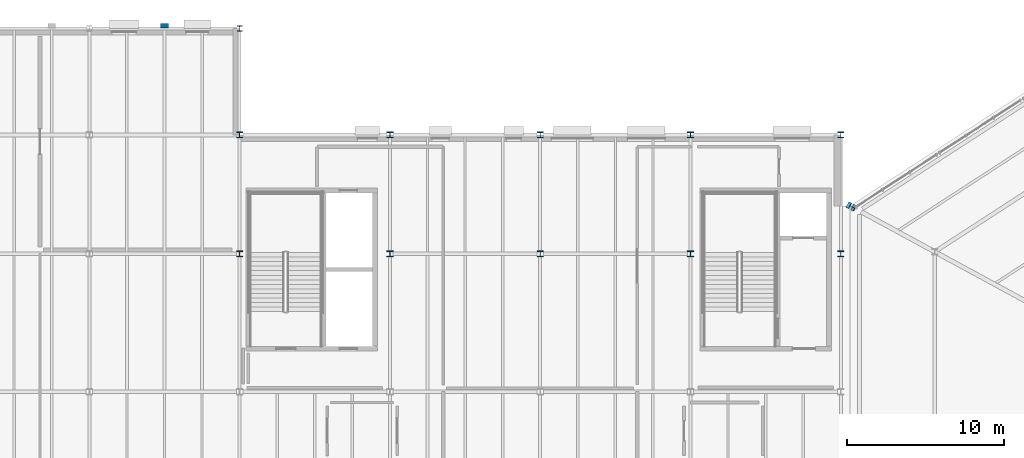
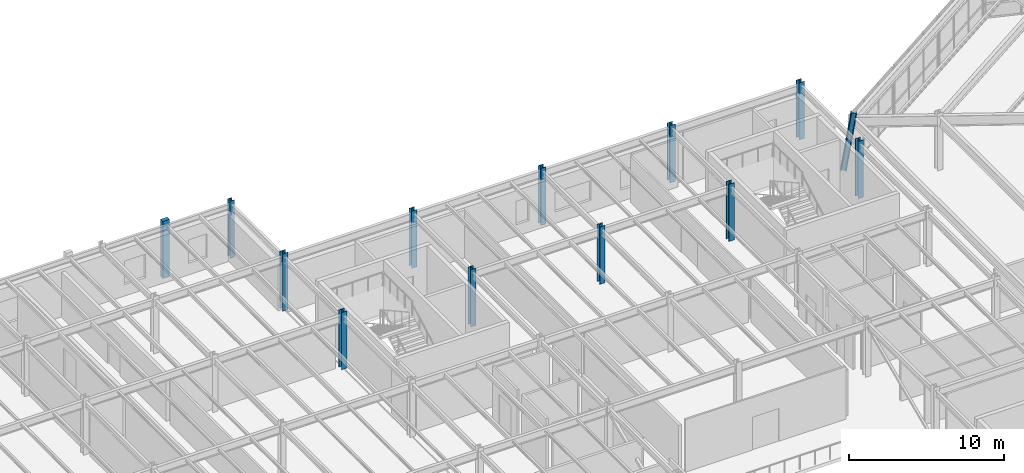
# One storey, part 11 of 88: 13 columns.
"""IFC4 building model written with IfcOpenShell, lengths in metres."""

from ifc_helpers import new_model, si_unit, direction, frame, origin, origin_2d, place, context, subcontext, project, spatial, rectangle, i_section, extrude, material, material_profile, profile_set, type_object, element, save


model = new_model("IFC4")

# Units and contexts
model_context = context("Model", 3, precision=1e-05, world=origin(), true_north=direction((0.0, 1.0)))
body_context = subcontext(model_context, "Body", "Model", "MODEL_VIEW")
ifc_project = project(units=[si_unit("LENGTHUNIT", "METRE"), si_unit("AREAUNIT", "SQUARE_METRE"), si_unit("VOLUMEUNIT", "CUBIC_METRE"), si_unit("PLANEANGLEUNIT", "RADIAN"), si_unit("MASSUNIT", "GRAM", prefix="KILO")], contexts=[model_context])

# Site, building, storey
site_placement = place(None, origin())
site = spatial("IfcSite", under=ifc_project, at=site_placement, CompositionType="ELEMENT")
building_placement = place(site_placement, origin())
building = spatial("IfcBuilding", under=site, at=building_placement, Name="Sarnbrook Museum", CompositionType="ELEMENT")
storey_placement = place(building_placement, frame((0.0, 0.0, 10.10009765625)))
storey = spatial("IfcBuildingStorey", under=building, at=storey_placement, Name="L02", CompositionType="ELEMENT", Elevation=10.10009765625)

# Columns
ifc_material_1 = material(Name="Structural Steel Grade 300PLUS (AS/NZS 3679.1, fy = 280 MPa for 17 < t <= 40 mm, 300 MPa for t <= 17 mm)", Category="steel")
ifc_material_profile_1 = material_profile(ifc_material_1, i_section(OverallWidth=0.31103515625, OverallDepth=0.326904296875, WebThickness=0.015625, FlangeThickness=0.02490234375, FilletRadius=0.0166015625, at=origin_2d()), Name="310UC158")
ifc_profile_set_1 = profile_set([ifc_material_profile_1], Name="Structural Steel Grade 300PLUS (AS/NZS 3679.1, fy = 280 MPa for 17 < t <= 40 mm, 300 MPa for t <= 17 mm)")
column_type_1 = type_object("IfcColumnType", Name="COL-UC310H", PredefinedType="COLUMN", material=ifc_profile_set_1)
column_1_placement = place(storey_placement, frame((80.800048828125, 115.199951171875, 0.0), z_axis=(0.0, 0.0, 1.0), x_axis=(1.0, 0.0, 0.0)))
element("IfcColumn", 1, at=column_1_placement, inside=storey, type_object=column_type_1, Name="Column 9-P L02", PredefinedType="COLUMN", context=body_context, shape_type="SweptSolid", body=[
    extrude(i_section(OverallWidth=0.31103515625, OverallDepth=0.326904296875, WebThickness=0.015625, FlangeThickness=0.02490234375, FilletRadius=0.0166015625, at=origin_2d()), origin(), (0.0, 0.0, 1.0), 4.5),
])
ifc_material_2 = material(Name="Structural Steel Grade 350L0 (AS/NZS 3678, fy = 340 MPa for 20 < t <= 40 mm)", Category="steel")
ifc_material_profile_2 = material_profile(ifc_material_2, i_section(OverallWidth=0.39990234375, OverallDepth=0.382080078125, WebThickness=0.02490234375, FlangeThickness=0.035888671875, at=origin_2d()), Name="400WC270")
ifc_profile_set_2 = profile_set([ifc_material_profile_2], Name="Structural Steel Grade 350L0 (AS/NZS 3678, fy = 340 MPa for 20 < t <= 40 mm)")
column_type_2 = type_object("IfcColumnType", Name="COL-WC400", PredefinedType="COLUMN", material=ifc_profile_set_2)
for number, where, z_axis, x_axis, name in (
    (2, (90.39990234375, 100.800048828125, 0.0), (0.0, 0.0, 1.0), (1.0, 0.0, 0.0), "Column 10-M L02"),
    (3, (90.39990234375, 108.39990234375, 0.0), (0.0, 0.0, 1.0), (1.0, 0.0, 0.0), "Column 10-N L02"),
    (4, (100.0, 100.800048828125, 0.0), (0.0, 0.0, 1.0), (1.0, 0.0, 0.0), "Column 11-M L02"),
    (5, (100.0, 108.39990234375, 0.0), (0.0, 0.0, 1.0), (1.0, 0.0, 0.0), "Column 11-N L02"),
    (6, (109.60009765625, 100.800048828125, 0.0), (0.0, 0.0, 1.0), (1.0, 0.0, 0.0), "Column 12-M L02"),
    (7, (109.60009765625, 108.39990234375, 0.0), (0.0, 0.0, 1.0), (1.0, 0.0, 0.0), "Column 12-N L02"),
    (8, (119.199951171875, 100.800048828125, 0.0), (0.0, 0.0, 1.0), (1.0, 0.0, 0.0), "Column 13-M L02"),
    (9, (119.199951171875, 108.39990234375, 0.0), (0.0, 0.0, 1.0), (1.0, 0.0, 0.0), "Column 13-N L02"),
    (10, (80.800048828125, 100.800048828125, 0.0), (0.0, 0.0, 1.0), (1.0, 0.0, 0.0), "Column 9-M L02"),
    (11, (80.800048828125, 108.39990234375, 0.0), (0.0, 0.0, 1.0), (1.0, 0.0, 0.0), "Column 9-N L02"),
):
    element("IfcColumn", number, at=place(storey_placement, frame(where, z_axis=z_axis, x_axis=x_axis)), inside=storey, type_object=column_type_2, Name=name, PredefinedType="COLUMN", context=body_context, shape_type="SweptSolid", body=[
        extrude(i_section(OverallWidth=0.39990234375, OverallDepth=0.382080078125, WebThickness=0.02490234375, FlangeThickness=0.035888671875, at=origin_2d()), origin(), (0.0, 0.0, 1.0), 4.5),
    ])
column_2_placement = place(storey_placement, frame((119.79248046875, 103.878173828125, 0.0), z_axis=(0.13021951526, -0.070716654764, 0.988960076335), x_axis=(0.477227696061, 0.878779680075, 0.0)))
element("IfcColumn", 12, at=column_2_placement, inside=storey, type_object=column_type_2, Name="Raking Crystal Rib Column V7 L02", PredefinedType="COLUMN", context=body_context, shape_type="SweptSolid", body=[
    extrude(i_section(OverallWidth=0.39990234375, OverallDepth=0.382080078125, WebThickness=0.02490234375, FlangeThickness=0.035888671875, at=origin_2d()), origin(), (0.0, 0.0, 1.0), 4.55029296875),
])
ifc_material_3 = material(Name="Concrete N40 (AS 3600, f'c = 40 MPa)", Category="concrete")
ifc_material_profile_3 = material_profile(ifc_material_3, rectangle(XDim=0.5, YDim=0.300048828125, at=origin_2d()), Name="PILASTER 500x300")
ifc_profile_set_3 = profile_set([ifc_material_profile_3], Name="Concrete N40 (AS 3600, f'c = 40 MPa)")
column_type_3 = type_object("IfcColumnType", Name="PIL-500x300", PredefinedType="PILASTER", material=ifc_profile_set_3)
column_3_placement = place(storey_placement, frame((76.0, 115.3798828125, 0.0), z_axis=(0.0, 0.0, 1.0), x_axis=(1.0, 0.0, 0.0)))
element("IfcColumn", 13, at=column_3_placement, inside=storey, type_object=column_type_3, Name="Sandstone Classical Pilaster P-N3 L02", PredefinedType="PILASTER", context=body_context, shape_type="SweptSolid", body=[
    extrude(rectangle(XDim=0.5, YDim=0.300048828125, at=origin_2d()), origin(), (0.0, 0.0, 1.0), 4.5),
])

save(model, "model.ifc")
